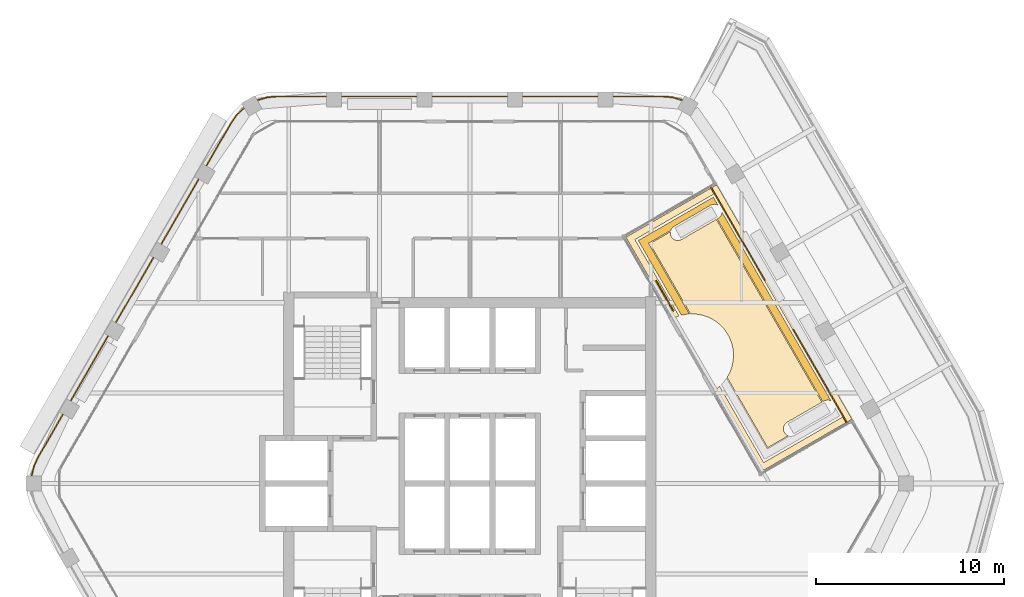
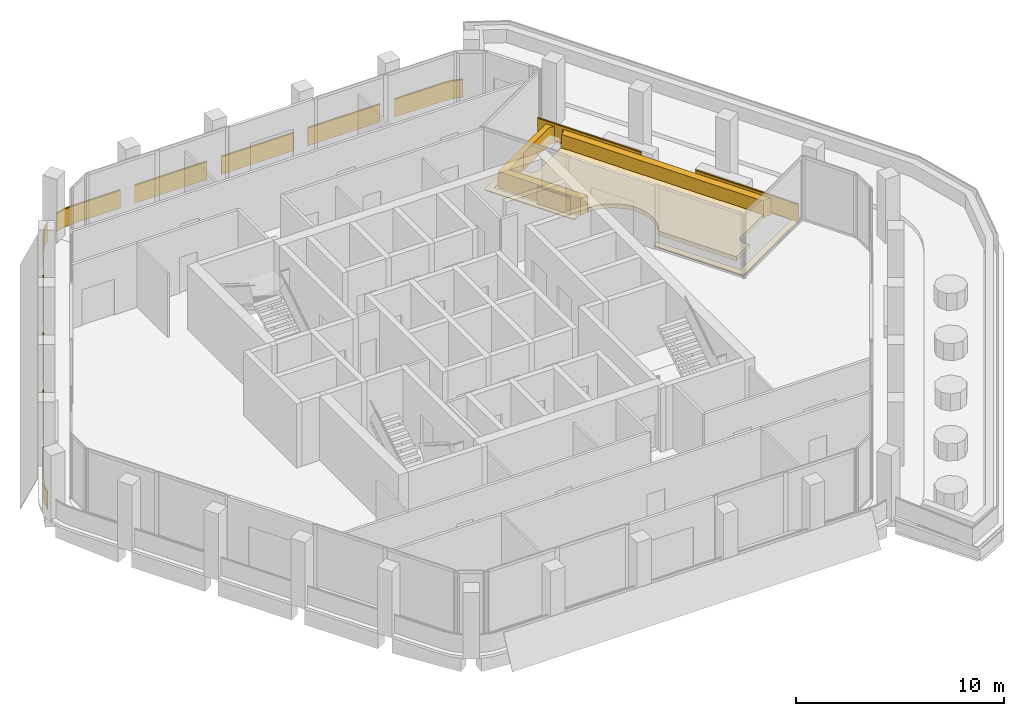
# One storey, part 17 of 17: 4 coverings, 4 railings.
"""IFC4 building model written with IfcOpenShell, lengths in metres."""

import ifcopenshell
import ifcopenshell.guid

model = None  # the IFC model being written
_history = None  # IfcOwnerHistory: only IFC2X3 demands one
_inside = {}  # id of a spatial element -> (the spatial element, [elements in it])
_under = {}  # id of a project, library or spatial element -> (it, [spatial elements below it])
_declared = {}  # id of a project -> (the project, [libraries it declares])
_typed = {}  # id of a type object -> (the type object, [elements of that type])
_made_of = {}  # id of a material, layer set ... -> (it, [elements and type objects made of it])


def new_model(schema):
    """Start an empty IFC model of exactly this schema.

    Asked for "IFC4X3", IfcOpenShell would pick the latest addendum, in which some entities
    have other attributes; the version numbers below select the first issue.
    IFC2X3 requires an IfcOwnerHistory on every rooted entity: one is made here for all.
    """
    global model, _history
    if schema == "IFC4X3":
        model = ifcopenshell.file(schema_version=(4, 3, 0, 0))
    else:
        model = ifcopenshell.file(schema=schema)
    _inside.clear()
    _under.clear()
    _declared.clear()
    _typed.clear()
    _made_of.clear()
    _history = None
    if model.schema == "IFC2X3":
        org = make("IfcOrganization", Name="unknown")
        user = make(
            "IfcPersonAndOrganization",
            ThePerson=make("IfcPerson", FamilyName="unknown"),
            TheOrganization=org,
        )
        app = make(
            "IfcApplication",
            ApplicationDeveloper=org,
            Version="unknown",
            ApplicationFullName="unknown",
            ApplicationIdentifier="unknown",
        )
        _history = make(
            "IfcOwnerHistory",
            OwningUser=user,
            OwningApplication=app,
            ChangeAction="ADDED",
            CreationDate=0,
        )
    return model


def make(cls, **values):
    """One entity of the class cls with the attributes given. An attribute that is None is left unset."""
    return model.create_entity(
        cls, **{name: value for name, value in values.items() if value is not None}
    )


def rooted(cls, **values):
    """An entity with a GlobalId (a new one), such as an element, a storey or a relation."""
    return make(cls, GlobalId=ifcopenshell.guid.new(), OwnerHistory=_history, **values)


def si_unit(unit_type, name, prefix=None):
    """IfcSIUnit, for example si_unit("LENGTHUNIT", "METRE", prefix="MILLI")."""
    return make("IfcSIUnit", UnitType=unit_type, Prefix=prefix, Name=name)


def assignment(units):
    """IfcUnitAssignment: the units of a project."""
    return None if units is None else make("IfcUnitAssignment", Units=units)


def point(xyz):
    """IfcCartesianPoint."""
    return None if xyz is None else make("IfcCartesianPoint", Coordinates=xyz)


def direction(xyz):
    """IfcDirection."""
    return None if xyz is None else make("IfcDirection", DirectionRatios=xyz)


def frame(location, z_axis=None, x_axis=None):
    """IfcAxis2Placement3D, a coordinate frame: its origin and axes. An axis left out is left unset."""
    return make(
        "IfcAxis2Placement3D",
        Location=point(location),
        Axis=direction(z_axis),
        RefDirection=direction(x_axis),
    )


def frame_2d(location, x_axis=None):
    """IfcAxis2Placement2D, a coordinate frame in the plane: its origin and x axis."""
    return make(
        "IfcAxis2Placement2D", Location=point(location), RefDirection=direction(x_axis)
    )


def origin():
    """The frame at (0, 0, 0) with its axes left unset."""
    return frame((0.0, 0.0, 0.0))


def origin_2d():
    """The frame at (0, 0) in the plane with its x axis left unset."""
    return frame_2d((0.0, 0.0))


def place(relative_to, where):
    """IfcLocalPlacement: puts the frame where relative to a parent placement (None: the world)."""
    return make(
        "IfcLocalPlacement", PlacementRelTo=relative_to, RelativePlacement=where
    )


def context(
    kind, dimensions, precision=None, world=None, true_north=None, identifier=None
):
    """IfcGeometricRepresentationContext, for example the 3D "Model" context."""
    return make(
        "IfcGeometricRepresentationContext",
        ContextIdentifier=identifier,
        ContextType=kind,
        CoordinateSpaceDimension=dimensions,
        Precision=precision,
        WorldCoordinateSystem=world,
        TrueNorth=true_north,
    )


def subcontext(parent, identifier, kind, view, scale=None):
    """IfcGeometricRepresentationSubContext, for example "Body" below "Model"."""
    return make(
        "IfcGeometricRepresentationSubContext",
        ContextIdentifier=identifier,
        ContextType=kind,
        ParentContext=parent,
        TargetScale=scale,
        TargetView=view,
    )


def project(units=None, contexts=None):
    """IfcProject with its units and contexts."""
    return rooted(
        "IfcProject",
        Name="project",
        RepresentationContexts=contexts,
        UnitsInContext=assignment(units),
    )


def spatial(cls, under=None, at=None, **own):
    """A site, building, storey or space (cls), placed at a placement, below another one or the project."""
    s = rooted(cls, ObjectPlacement=at, **own)
    if under is not None:
        _under.setdefault(under.id(), (under, []))[1].append(s)
    return s


def polyline(points):
    """IfcPolyline through the points."""
    return make("IfcPolyline", Points=[point(p) for p in points])


def profile(cls, at=None, kind="AREA", **sizes):
    """A parametric profile (cls). Its sizes go by their IFC names, for example OverallWidth=200.0."""
    return make(cls, ProfileType=kind, Position=at, **sizes)


def rectangle(**sizes):
    """IfcRectangleProfileDef."""
    return profile("IfcRectangleProfileDef", **sizes)


def outline(outer, holes=None, kind="AREA"):
    """IfcArbitraryClosedProfileDef: a profile drawn as a closed curve; with holes, ...WithVoids."""
    if holes is None:
        return make("IfcArbitraryClosedProfileDef", ProfileType=kind, OuterCurve=outer)
    return make(
        "IfcArbitraryProfileDefWithVoids",
        ProfileType=kind,
        OuterCurve=outer,
        InnerCurves=holes,
    )


def extrude(swept, where, along, depth):
    """IfcExtrudedAreaSolid: the profile swept, set in the frame where, extruded along a direction by depth."""
    return make(
        "IfcExtrudedAreaSolid",
        SweptArea=swept,
        Position=where,
        ExtrudedDirection=direction(along),
        Depth=depth,
    )


def shape(context_of_items, identifier, shape_type, items):
    """IfcShapeRepresentation: the items that make up one representation, for example the "Body"."""
    return make(
        "IfcShapeRepresentation",
        ContextOfItems=context_of_items,
        RepresentationIdentifier=identifier,
        RepresentationType=shape_type,
        Items=items,
    )


def material(Name=None, Category=None):
    """IfcMaterial."""
    return make("IfcMaterial", Name=Name, Category=Category)


def layer(
    of_material, thickness, ventilated=None, Name=None, Category=None, Priority=None
):
    """IfcMaterialLayer: one layer of a wall or slab, of a material (None: an air gap)."""
    return make(
        "IfcMaterialLayer",
        Material=of_material,
        LayerThickness=thickness,
        IsVentilated=ventilated,
        Name=Name,
        Category=Category,
        Priority=Priority,
    )


def layer_set(layers, Name=None):
    """IfcMaterialLayerSet."""
    return make("IfcMaterialLayerSet", MaterialLayers=layers, LayerSetName=Name)


def made_of(thing, what):
    """Note that an element or type object is made of a material, layer set ...; save() writes the relation."""
    if what is not None:
        _made_of.setdefault(what.id(), (what, []))[1].append(thing)
    return thing


def type_object(cls, material=None, **own):
    """A type object (cls), such as IfcWallType, which elements share."""
    return made_of(rooted(cls, **own), material)


def element(
    cls,
    number,
    at=None,
    inside=None,
    cuts=None,
    type_object=None,
    material=None,
    context=None,
    identifier="Body",
    shape_type=None,
    held_by="IfcProductDefinitionShape",
    body=None,
    shapes=None,
    **own,
):
    """One element of the class cls, such as IfcWall. Its Tag is "e" and its number.

    at: its placement. inside: the storey or other place that contains it. cuts: it is an
    opening in that element (IfcRelVoidsElement). A single representation is given by context,
    identifier, shape_type and body (its items); several are given by shapes. held_by: the class
    of the entity that holds the representations. save() writes the other relations.
    """
    e = rooted(cls, Tag="e%d" % number, ObjectPlacement=at, **own)
    if body is not None:
        shapes = [shape(context, identifier, shape_type, body)]
    if shapes is not None:
        e.Representation = make(held_by, Representations=shapes)
    if inside is not None:
        _inside.setdefault(inside.id(), (inside, []))[1].append(e)
    if cuts is not None:
        rooted(
            "IfcRelVoidsElement", RelatingBuildingElement=cuts, RelatedOpeningElement=e
        )
    if type_object is not None:
        _typed.setdefault(type_object.id(), (type_object, []))[1].append(e)
    return made_of(e, material)


def aggregate(whole, parts):
    """IfcRelAggregates: a whole, such as a stair, and the parts it consists of."""
    return rooted("IfcRelAggregates", RelatingObject=whole, RelatedObjects=parts)


def save(model, path):
    """Write the relations noted so far, then the file.

    IfcRelAggregates (storeys below a building ...), IfcRelContainedInSpatialStructure (elements
    in a storey), IfcRelDefinesByType, IfcRelAssociatesMaterial and IfcRelDeclares: one each for
    every whole, place, type object, material and project.
    """
    for whole, parts in _under.values():
        aggregate(whole, parts)
    for where, things in _inside.values():
        rooted(
            "IfcRelContainedInSpatialStructure",
            RelatedElements=things,
            RelatingStructure=where,
        )
    for kind, things in _typed.values():
        rooted("IfcRelDefinesByType", RelatedObjects=things, RelatingType=kind)
    for what, things in _made_of.values():
        rooted("IfcRelAssociatesMaterial", RelatedObjects=things, RelatingMaterial=what)
    for by, libraries in _declared.values():
        rooted("IfcRelDeclares", RelatingContext=by, RelatedDefinitions=libraries)
    model.write(path)


model = new_model("IFC4")

# Units and contexts
model_context = context("Model", 3, precision=1e-05, world=origin(), true_north=direction((0.0, 1.0)))
body_context = subcontext(model_context, "Body", "Model", "MODEL_VIEW")
ifc_project = project(units=[si_unit("LENGTHUNIT", "METRE"), si_unit("AREAUNIT", "SQUARE_METRE"), si_unit("VOLUMEUNIT", "CUBIC_METRE"), si_unit("PLANEANGLEUNIT", "RADIAN"), si_unit("MASSUNIT", "GRAM", prefix="KILO")], contexts=[model_context])

# Site, building, storey
site_placement = place(None, origin())
site = spatial("IfcSite", under=ifc_project, at=site_placement, CompositionType="ELEMENT")
building_placement = place(site_placement, origin())
building = spatial("IfcBuilding", under=site, at=building_placement, Name="Kolab Exchange Tower", CompositionType="ELEMENT")
storey_placement = place(building_placement, frame((0.0, 0.0, 285.199951171875)))
storey = spatial("IfcBuildingStorey", under=building, at=storey_placement, Name="L64", CompositionType="ELEMENT", Elevation=285.199951171875)

# Railings
ifc_material_1 = material(Name="Steel S235", Category="steel")
railing_type = type_object("IfcRailingType", Name="GUARD 1100 GLASS BALUSTRADE AND STEEL TOP RAIL", PredefinedType="GUARDRAIL", material=ifc_material_1)
railing_1_placement = place(storey_placement, frame((11.280517578125, 20.335205078125, 0.0)))
element("IfcRailing", 1, at=railing_1_placement, inside=storey, type_object=railing_type, Name="Guard", PredefinedType="GUARDRAIL", context=body_context, shape_type="SweptSolid", body=[
    extrude(rectangle(XDim=0.05, YDim=0.05, at=origin_2d()), frame((0.0, 0.0, 1.0751953125), z_axis=(-0.959212061764, 0.282687496304, 0.0), x_axis=(-0.282687496304, -0.959212061764, 0.0)), (0.0, 0.0, 1.0), 0.557861328125),
    extrude(rectangle(XDim=0.012, YDim=1.05009765625, at=frame_2d((0.0, 0.525146484375))), frame((0.0, 0.0, 0.0), z_axis=(-0.959212061764, 0.282687496304, 0.0), x_axis=(-0.282687496304, -0.959212061764, 0.0)), (0.0, 0.0, 1.0), 0.557861328125),
    extrude(rectangle(XDim=0.05, YDim=0.05, at=origin_2d()), frame((-0.53515625, 0.15771484375, 1.0751953125), z_axis=(-0.996196482496, 0.087135344505, 0.0), x_axis=(-0.087135344505, -0.996196482496, 0.0)), (0.0, 0.0, 1.0), 0.47900390625),
    extrude(rectangle(XDim=0.012, YDim=1.05009765625, at=frame_2d((0.0, 0.525146484375))), frame((-0.53515625, 0.15771484375, 0.0), z_axis=(-0.996196482496, 0.087135344505, 0.0), x_axis=(-0.087135344505, -0.996196482496, 0.0)), (0.0, 0.0, 1.0), 0.47900390625),
    extrude(rectangle(XDim=0.05, YDim=0.05, at=origin_2d()), frame((-1.012451171875, 0.199462890625, 1.0751953125), z_axis=(-1.0, 0.0, 0.0), x_axis=(0.0, -1.0, 0.0)), (0.0, 0.0, 1.0), 2.66796875),
    extrude(rectangle(XDim=0.012, YDim=1.05009765625, at=frame_2d((0.0, 0.525146484375))), frame((-1.012451171875, 0.199462890625, 0.0), z_axis=(-1.0, 0.0, 0.0), x_axis=(0.0, -1.0, 0.0)), (0.0, 0.0, 1.0), 2.66796875),
    extrude(rectangle(XDim=0.05, YDim=0.05, at=origin_2d()), frame((-4.48046875, 0.199462890625, 1.0751953125), z_axis=(-1.0, 0.0, 0.0), x_axis=(0.0, -1.0, 0.0)), (0.0, 0.0, 1.0), 4.0),
    extrude(rectangle(XDim=0.012, YDim=1.05009765625, at=frame_2d((0.0, 0.525146484375))), frame((-4.48046875, 0.199462890625, 0.0), z_axis=(-1.0, 0.0, 0.0), x_axis=(0.0, -1.0, 0.0)), (0.0, 0.0, 1.0), 4.0),
    extrude(rectangle(XDim=0.05, YDim=0.05, at=origin_2d()), frame((-9.280517578125, 0.199462890625, 1.0751953125), z_axis=(-1.0, 0.0, 0.0), x_axis=(0.0, -1.0, 0.0)), (0.0, 0.0, 1.0), 4.0),
    extrude(rectangle(XDim=0.012, YDim=1.05009765625, at=frame_2d((0.0, 0.525146484375))), frame((-9.280517578125, 0.199462890625, 0.0), z_axis=(-1.0, 0.0, 0.0), x_axis=(0.0, -1.0, 0.0)), (0.0, 0.0, 1.0), 4.0),
    extrude(rectangle(XDim=0.05, YDim=0.05, at=origin_2d()), frame((-14.08056640625, 0.199462890625, 1.0751953125), z_axis=(-1.0, 0.0, 0.0), x_axis=(0.0, -1.0, 0.0)), (0.0, 0.0, 1.0), 4.0),
    extrude(rectangle(XDim=0.012, YDim=1.05009765625, at=frame_2d((0.0, 0.525146484375))), frame((-14.08056640625, 0.199462890625, 0.0), z_axis=(-1.0, 0.0, 0.0), x_axis=(0.0, -1.0, 0.0)), (0.0, 0.0, 1.0), 4.0),
    extrude(rectangle(XDim=0.05, YDim=0.05, at=origin_2d()), frame((-18.880615234375, 0.199462890625, 1.0751953125), z_axis=(-1.0, 0.0, 0.0), x_axis=(0.0, -1.0, 0.0)), (0.0, 0.0, 1.0), 2.66796875),
    extrude(rectangle(XDim=0.012, YDim=1.05009765625, at=frame_2d((0.0, 0.525146484375))), frame((-18.880615234375, 0.199462890625, 0.0), z_axis=(-1.0, 0.0, 0.0), x_axis=(0.0, -1.0, 0.0)), (0.0, 0.0, 1.0), 2.66796875),
    extrude(rectangle(XDim=0.05, YDim=0.05, at=origin_2d()), frame((-21.548583984375, 0.199462890625, 1.0751953125), z_axis=(-0.996196482496, -0.087135344505, 0.0), x_axis=(0.087135344505, -0.996196482496, 0.0)), (0.0, 0.0, 1.0), 0.47900390625),
    extrude(rectangle(XDim=0.012, YDim=1.05009765625, at=frame_2d((0.0, 0.525146484375))), frame((-21.548583984375, 0.199462890625, 0.0), z_axis=(-0.996196482496, -0.087135344505, 0.0), x_axis=(0.087135344505, -0.996196482496, 0.0)), (0.0, 0.0, 1.0), 0.47900390625),
    extrude(rectangle(XDim=0.05, YDim=0.05, at=origin_2d()), frame((-22.02587890625, 0.15771484375, 1.0751953125), z_axis=(-0.959212061764, -0.282687496304, 0.0), x_axis=(0.282687496304, -0.959212061764, 0.0)), (0.0, 0.0, 1.0), 0.557861328125),
    extrude(rectangle(XDim=0.012, YDim=1.05009765625, at=frame_2d((0.0, 0.525146484375))), frame((-22.02587890625, 0.15771484375, 0.0), z_axis=(-0.959212061764, -0.282687496304, 0.0), x_axis=(0.282687496304, -0.959212061764, 0.0)), (0.0, 0.0, 1.0), 0.557861328125),
])
railing_2_placement = place(storey_placement, frame((-11.970703125, 19.936767578125, 0.0)))
element("IfcRailing", 2, at=railing_2_placement, inside=storey, type_object=railing_type, Name="Guard", PredefinedType="GUARDRAIL", context=body_context, shape_type="SweptSolid", body=[
    extrude(rectangle(XDim=0.05, YDim=0.05, at=origin_2d()), frame((0.0, 0.0, 1.0751953125), z_axis=(-0.724189990991, -0.689600505327, 0.0), x_axis=(0.689600505327, -0.724189990991, 0.0)), (0.0, 0.0, 1.0), 0.5576171875),
    extrude(rectangle(XDim=0.012, YDim=1.05009765625, at=frame_2d((0.0, 0.525146484375))), frame((0.0, 0.0, 0.0), z_axis=(-0.724189990991, -0.689600505327, 0.0), x_axis=(0.689600505327, -0.724189990991, 0.0)), (0.0, 0.0, 1.0), 0.5576171875),
    extrude(rectangle(XDim=0.05, YDim=0.05, at=origin_2d()), frame((-0.40380859375, -0.384521484375, 1.0751953125), z_axis=(-0.573599091554, -0.819136180478, 0.0), x_axis=(0.819136180478, -0.573599091554, 0.0)), (0.0, 0.0, 1.0), 0.479248046875),
    extrude(rectangle(XDim=0.012, YDim=1.05009765625, at=frame_2d((0.0, 0.525146484375))), frame((-0.40380859375, -0.384521484375, 0.0), z_axis=(-0.573599091554, -0.819136180478, 0.0), x_axis=(0.819136180478, -0.573599091554, 0.0)), (0.0, 0.0, 1.0), 0.479248046875),
    extrude(rectangle(XDim=0.05, YDim=0.05, at=origin_2d()), frame((-0.6787109375, -0.777099609375, 1.0751953125), z_axis=(-0.499997052475, -0.866027105532, 0.0), x_axis=(0.866027105532, -0.499997052475, 0.0)), (0.0, 0.0, 1.0), 2.66796875),
    extrude(rectangle(XDim=0.012, YDim=1.05009765625, at=frame_2d((0.0, 0.525146484375))), frame((-0.6787109375, -0.777099609375, 0.0), z_axis=(-0.499997052475, -0.866027105532, 0.0), x_axis=(0.866027105532, -0.499997052475, 0.0)), (0.0, 0.0, 1.0), 2.66796875),
    extrude(rectangle(XDim=0.05, YDim=0.05, at=origin_2d()), frame((-2.412841796875, -3.780517578125, 1.0751953125), z_axis=(-0.49999894854, -0.866026010844, 0.0), x_axis=(0.866026010844, -0.49999894854, 0.0)), (0.0, 0.0, 1.0), 4.0),
    extrude(rectangle(XDim=0.012, YDim=1.05009765625, at=frame_2d((0.0, 0.525146484375))), frame((-2.412841796875, -3.780517578125, 0.0), z_axis=(-0.49999894854, -0.866026010844, 0.0), x_axis=(0.866026010844, -0.49999894854, 0.0)), (0.0, 0.0, 1.0), 4.0),
    extrude(rectangle(XDim=0.05, YDim=0.05, at=origin_2d()), frame((-4.812744140625, -7.9375, 1.0751953125), z_axis=(-0.49999894854, -0.866026010844, 0.0), x_axis=(0.866026010844, -0.49999894854, 0.0)), (0.0, 0.0, 1.0), 4.0),
    extrude(rectangle(XDim=0.012, YDim=1.05009765625, at=frame_2d((0.0, 0.525146484375))), frame((-4.812744140625, -7.9375, 0.0), z_axis=(-0.49999894854, -0.866026010844, 0.0), x_axis=(0.866026010844, -0.49999894854, 0.0)), (0.0, 0.0, 1.0), 4.0),
    extrude(rectangle(XDim=0.05, YDim=0.05, at=origin_2d()), frame((-7.212890625, -12.09423828125, 1.0751953125), z_axis=(-0.49999894854, -0.866026010844, 0.0), x_axis=(0.866026010844, -0.49999894854, 0.0)), (0.0, 0.0, 1.0), 4.0),
    extrude(rectangle(XDim=0.012, YDim=1.05009765625, at=frame_2d((0.0, 0.525146484375))), frame((-7.212890625, -12.09423828125, 0.0), z_axis=(-0.49999894854, -0.866026010844, 0.0), x_axis=(0.866026010844, -0.49999894854, 0.0)), (0.0, 0.0, 1.0), 4.0),
    extrude(rectangle(XDim=0.05, YDim=0.05, at=origin_2d()), frame((-9.61279296875, -16.251220703125, 1.0751953125), z_axis=(-0.499997052475, -0.866027105532, 0.0), x_axis=(0.866027105532, -0.499997052475, 0.0)), (0.0, 0.0, 1.0), 2.66796875),
    extrude(rectangle(XDim=0.012, YDim=1.05009765625, at=frame_2d((0.0, 0.525146484375))), frame((-9.61279296875, -16.251220703125, 0.0), z_axis=(-0.499997052475, -0.866027105532, 0.0), x_axis=(0.866027105532, -0.499997052475, 0.0)), (0.0, 0.0, 1.0), 2.66796875),
    extrude(rectangle(XDim=0.05, YDim=0.05, at=origin_2d()), frame((-10.94677734375, -18.561767578125, 1.0751953125), z_axis=(-0.422801802984, -0.906222177721, 0.0), x_axis=(0.906222177721, -0.422801802984, 0.0)), (0.0, 0.0, 1.0), 0.479248046875),
    extrude(rectangle(XDim=0.012, YDim=1.05009765625, at=frame_2d((0.0, 0.525146484375))), frame((-10.94677734375, -18.561767578125, 0.0), z_axis=(-0.422801802984, -0.906222177721, 0.0), x_axis=(0.906222177721, -0.422801802984, 0.0)), (0.0, 0.0, 1.0), 0.479248046875),
    extrude(rectangle(XDim=0.05, YDim=0.05, at=origin_2d()), frame((-11.1494140625, -18.99609375, 1.0751953125), z_axis=(-0.234597748196, -0.972092534968, 0.0), x_axis=(0.972092534968, -0.234597748196, 0.0)), (0.0, 0.0, 1.0), 0.557861328125),
    extrude(rectangle(XDim=0.012, YDim=1.05009765625, at=frame_2d((0.0, 0.525146484375))), frame((-11.1494140625, -18.99609375, 0.0), z_axis=(-0.234597748196, -0.972092534968, 0.0), x_axis=(0.972092534968, -0.234597748196, 0.0)), (0.0, 0.0, 1.0), 0.557861328125),
])
railing_3_placement = place(storey_placement, frame((10.800048828125, 9.1630859375, 0.0)))
element("IfcRailing", 3, at=railing_3_placement, inside=storey, type_object=railing_type, Name="Terrace guard", PredefinedType="GUARDRAIL", context=body_context, shape_type="SweptSolid", body=[
    extrude(rectangle(XDim=0.05, YDim=0.05, at=origin_2d()), frame((0.0, 0.0, 1.0751953125), z_axis=(-0.50003817291, 0.866003363523, 0.0), x_axis=(-0.866003363523, -0.50003817291, 0.0)), (0.0, 0.0, 1.0), 1.851806640625),
    extrude(rectangle(XDim=0.012, YDim=1.05009765625, at=frame_2d((0.0, 0.525146484375))), frame((0.0, 0.0, 0.0), z_axis=(-0.50003817291, 0.866003363523, 0.0), x_axis=(-0.866003363523, -0.50003817291, 0.0)), (0.0, 0.0, 1.0), 1.851806640625),
])
railing_4_placement = place(storey_placement, frame((12.77783203125, 15.7373046875, 0.0)))
element("IfcRailing", 4, at=railing_4_placement, inside=storey, type_object=railing_type, Name="Terrace guard", PredefinedType="GUARDRAIL", context=body_context, shape_type="SweptSolid", body=[
    extrude(rectangle(XDim=0.05, YDim=0.05, at=origin_2d()), frame((0.0, 0.0, 1.0751953125), z_axis=(0.500018220049, -0.866014884179, 0.0), x_axis=(0.866014884179, 0.500018220049, 0.0)), (0.0, 0.0, 1.0), 5.739990234375),
    extrude(rectangle(XDim=0.012, YDim=1.05009765625, at=frame_2d((0.0, 0.525146484375))), frame((0.0, 0.0, 0.0), z_axis=(0.500018220049, -0.866014884179, 0.0), x_axis=(0.866014884179, 0.500018220049, 0.0)), (0.0, 0.0, 1.0), 5.739990234375),
    extrude(rectangle(XDim=0.05, YDim=0.05, at=origin_2d()), frame((7.239990234375, -12.5400390625, 1.0751953125), z_axis=(-0.499986320039, 0.86603330177, 0.0), x_axis=(-0.86603330177, -0.499986320039, 0.0)), (0.0, 0.0, 1.0), 5.739990234375),
    extrude(rectangle(XDim=0.012, YDim=1.05009765625, at=frame_2d((0.0, 0.525146484375))), frame((7.239990234375, -12.5400390625, 0.0), z_axis=(-0.499986320039, 0.86603330177, 0.0), x_axis=(-0.86603330177, -0.499986320039, 0.0)), (0.0, 0.0, 1.0), 5.739990234375),
])

# Coverings
ifc_material_2 = material(Name="Planting soil and turf", Category="soil")
ifc_layer_1 = layer(ifc_material_2, 0.25)
ifc_layer_set_1 = layer_set([ifc_layer_1], Name="Planting soil and turf")
covering_type_1 = type_object("IfcCoveringType", Name="PLANTING SOIL AND TURF 250", PredefinedType="USERDEFINED", material=ifc_layer_set_1)
covering_1_placement = place(storey_placement, origin())
element("IfcCovering", 5, at=covering_1_placement, inside=storey, type_object=covering_type_1, Name="Planting soil and turf", ObjectType="PLANTING", PredefinedType="USERDEFINED", context=body_context, shape_type="SweptSolid", body=[
    extrude(outline(polyline([(10.638427734375, 13.35888671875), (10.634521484375, 13.32470703125), (10.6337890625, 13.285400390625), (10.636962890625, 13.246337890625), (10.64404296875, 13.20751953125), (10.65478515625, 13.169921875), (10.669189453125, 13.13330078125), (10.687255859375, 13.098388671875), (10.70849609375, 13.0654296875), (10.73291015625, 13.03466796875), (10.76025390625, 13.006591796875), (10.7900390625, 12.981201171875), (10.822265625, 12.958740234375), (10.856689453125, 12.939697265625), (10.892822265625, 12.924072265625), (10.93017578125, 12.912109375), (10.968505859375, 12.90380859375), (11.00732421875, 12.8994140625), (11.046630859375, 12.898681640625), (11.085693359375, 12.90185546875), (11.12451171875, 12.908935546875), (11.162109375, 12.919677734375), (11.19873046875, 12.93408203125), (11.233642578125, 12.9521484375), (13.078125, 14.01708984375), (18.67822265625, 4.317626953125), (16.83349609375, 3.25244140625), (16.800537109375, 3.231201171875), (16.769775390625, 3.206787109375), (16.74169921875, 3.1796875), (16.71630859375, 3.149658203125), (16.69384765625, 3.117431640625), (16.6748046875, 3.0830078125), (16.6591796875, 3.047119140625), (16.647216796875, 3.009765625), (16.638916015625, 2.97119140625), (16.634521484375, 2.932373046875), (16.6337890625, 2.89306640625), (16.636962890625, 2.85400390625), (16.64404296875, 2.8154296875), (16.65478515625, 2.777587890625), (16.669189453125, 2.740966796875), (16.687255859375, 2.7060546875), (16.70849609375, 2.673095703125), (16.73291015625, 2.642333984375), (16.76025390625, 2.6142578125), (16.7900390625, 2.5888671875), (16.822265625, 2.56640625), (16.856689453125, 2.54736328125), (16.888427734375, 2.53369140625), (15.798828125, 1.904541015625), (13.644775390625, 5.635986328125), (13.72216796875, 5.76513671875), (13.814453125, 5.96044921875), (13.88720703125, 6.16357421875), (13.939697265625, 6.373046875), (13.971435546875, 6.586669921875), (13.98193359375, 6.80224609375), (13.971435546875, 7.017822265625), (13.939697265625, 7.2314453125), (13.88720703125, 7.44091796875), (13.814453125, 7.644287109375), (13.72216796875, 7.83935546875), (13.611083984375, 8.024658203125), (13.482666015625, 8.197998046875), (13.337646484375, 8.35791015625), (13.177490234375, 8.5029296875), (13.004150390625, 8.631591796875), (12.819091796875, 8.742431640625), (12.623779296875, 8.8349609375), (12.420654296875, 8.907470703125), (12.211181640625, 8.9599609375), (11.99755859375, 8.99169921875), (11.781982421875, 9.002197265625), (11.703369140625, 8.99853515625), (9.548828125, 12.72998046875), (10.638427734375, 13.35888671875)])), origin(), (0.0, 0.0, 1.0), 0.25),
])
ifc_material_3 = material(Name="Limestone coping", Category="masonry")
ifc_layer_2 = layer(ifc_material_3, 0.050048828125)
ifc_layer_set_2 = layer_set([ifc_layer_2], Name="Limestone coping")
covering_type_2 = type_object("IfcCoveringType", Name="TERRACE EDGE BAND LIMESTONE 50", PredefinedType="CLADDING", material=ifc_layer_set_2)
covering_2_placement = place(storey_placement, origin())
element("IfcCovering", 6, at=covering_2_placement, inside=storey, type_object=covering_type_2, Name="Terrace edge band", PredefinedType="CLADDING", context=body_context, shape_type="SweptSolid", body=[
    extrude(outline(polyline([(20.273681640625, 3.414306640625), (15.45849609375, 0.63427734375), (12.966552734375, 4.950439453125), (13.004150390625, 4.97314453125), (13.177490234375, 5.1015625), (13.2470703125, 5.16455078125), (15.586669921875, 1.1123046875), (19.795654296875, 3.542236328125), (12.965576171875, 15.372314453125), (8.756591796875, 12.942138671875), (11.095947265625, 8.890625), (10.93994140625, 8.8349609375), (10.770263671875, 8.754638671875), (8.278564453125, 13.0703125), (13.09375, 15.850341796875), (20.273681640625, 3.414306640625)])), origin(), (0.0, 0.0, 1.0), 0.050048828125),
])
ifc_material_4 = material(Name="Terrace hedge planting", Category="soil")
ifc_layer_3 = layer(ifc_material_4, 1.0)
ifc_layer_set_3 = layer_set([ifc_layer_3], Name="Terrace hedge planting")
covering_type_3 = type_object("IfcCoveringType", Name="TERRACE HEDGE 1000 X 400", PredefinedType="USERDEFINED", material=ifc_layer_set_3)
covering_3_placement = place(storey_placement, origin())
element("IfcCovering", 7, at=covering_3_placement, inside=storey, type_object=covering_type_3, Name="Terrace hedge", ObjectType="PLANTING", PredefinedType="USERDEFINED", context=body_context, shape_type="SweptSolid", body=[
    extrude(outline(polyline([(13.1630859375, 14.770263671875), (13.150390625, 14.777099609375), (13.114501953125, 14.792724609375), (13.0771484375, 14.804931640625), (13.03857421875, 14.813232421875), (12.999755859375, 14.817626953125), (12.96044921875, 14.818359375), (12.92138671875, 14.81494140625), (12.882568359375, 14.80810546875), (12.844970703125, 14.797119140625), (12.808349609375, 14.78271484375), (12.7734375, 14.764892578125), (10.83349609375, 13.644775390625), (10.800537109375, 13.62353515625), (10.769775390625, 13.59912109375), (10.74169921875, 13.57177734375), (10.71630859375, 13.5419921875), (10.69384765625, 13.509765625), (10.6748046875, 13.475341796875), (10.6591796875, 13.439453125), (10.655029296875, 13.42626953125), (9.480712890625, 12.748291015625), (11.647216796875, 8.99560546875), (11.56640625, 8.99169921875), (11.352783203125, 8.9599609375), (11.224365234375, 8.927978515625), (8.934326171875, 12.894775390625), (12.91796875, 15.194580078125), (13.1630859375, 14.770263671875)])), origin(), (0.0, 0.0, 1.0), 1.0),
])
covering_4_placement = place(storey_placement, origin())
element("IfcCovering", 8, at=covering_4_placement, inside=storey, type_object=covering_type_3, Name="Terrace hedge", ObjectType="PLANTING", PredefinedType="USERDEFINED", context=body_context, shape_type="SweptSolid", body=[
    extrude(outline(polyline([(19.1630859375, 4.3779296875), (19.150390625, 4.385009765625), (19.114501953125, 4.400634765625), (19.0771484375, 4.41259765625), (19.03857421875, 4.4208984375), (18.999755859375, 4.42529296875), (18.96044921875, 4.426025390625), (18.92138671875, 4.4228515625), (18.882568359375, 4.415771484375), (18.844970703125, 4.405029296875), (18.808349609375, 4.390380859375), (18.7734375, 4.37255859375), (18.721435546875, 4.342529296875), (13.12158203125, 14.0419921875), (13.173583984375, 14.072021484375), (13.20654296875, 14.09326171875), (13.2373046875, 14.11767578125), (13.265380859375, 14.14501953125), (13.290771484375, 14.175048828125), (13.313232421875, 14.207275390625), (13.332275390625, 14.241455078125), (13.347900390625, 14.277587890625), (13.35986328125, 14.31494140625), (13.3681640625, 14.353271484375), (13.37255859375, 14.392333984375), (13.372802734375, 14.40673828125), (19.1630859375, 4.3779296875)])), origin(), (0.0, 0.0, 1.0), 1.0),
])

save(model, "model.ifc")
